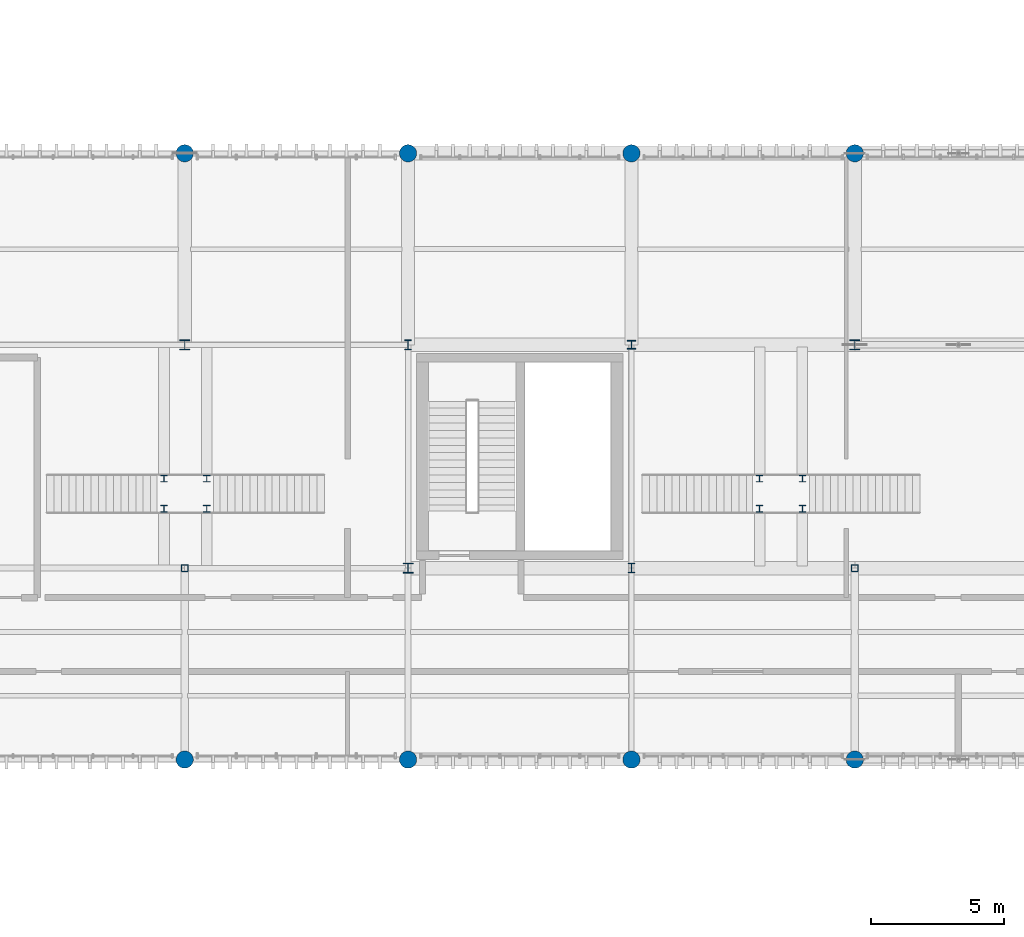
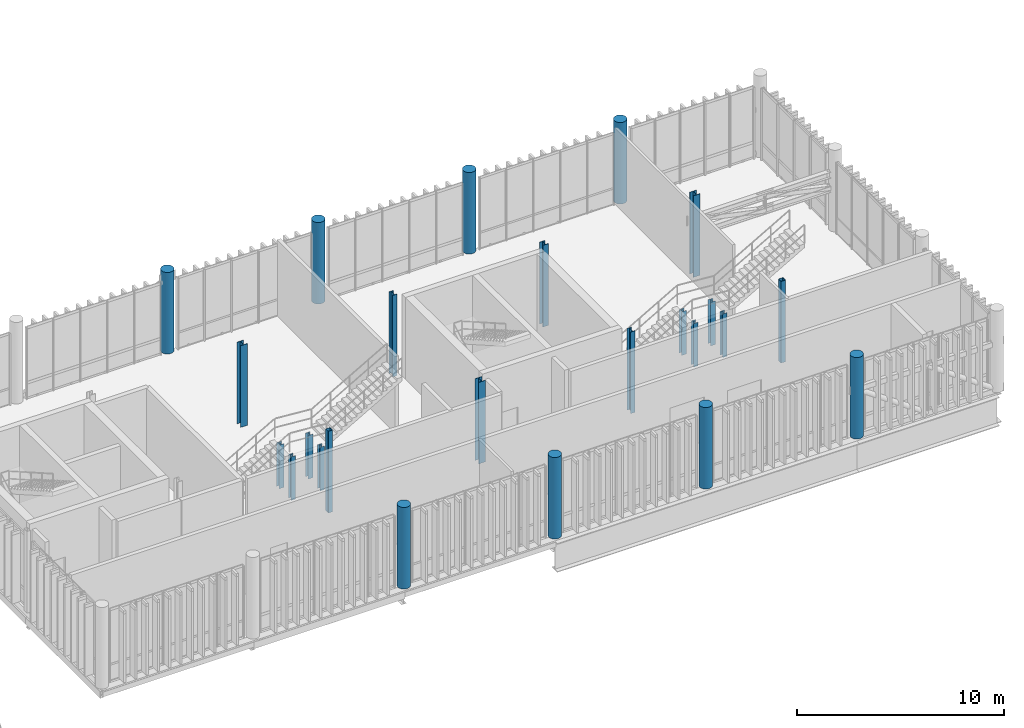
# One storey, part 3 of 86: 24 columns.
"""IFC4 building model written with IfcOpenShell, lengths in metres."""

from ifc_helpers import new_model, si_unit, direction, frame, origin_with_axes, origin_2d_with_axis, place, context, subcontext, project, spatial, hollow_rectangle, circle, i_section, extrude, material, material_profile, profile_set, type_object, element, save


model = new_model("IFC4")

# Units and contexts
model_context = context("Model", 3, precision=1e-05, world=origin_with_axes(), true_north=direction((0.0, 1.0)))
body_context = subcontext(model_context, "Body", "Model", "MODEL_VIEW")
ifc_project = project(units=[si_unit("LENGTHUNIT", "METRE"), si_unit("AREAUNIT", "SQUARE_METRE"), si_unit("VOLUMEUNIT", "CUBIC_METRE"), si_unit("PLANEANGLEUNIT", "RADIAN"), si_unit("MASSUNIT", "GRAM", prefix="KILO"), si_unit("THERMODYNAMICTEMPERATUREUNIT", "KELVIN")], contexts=[model_context])

# Site, building, storey
site_placement = place(None, origin_with_axes())
site = spatial("IfcSite", under=ifc_project, at=site_placement, CompositionType="ELEMENT")
building_placement = place(site_placement, origin_with_axes())
building = spatial("IfcBuilding", under=site, at=building_placement, Name="Montbau Bow Law Courts", CompositionType="ELEMENT")
storey_placement = place(building_placement, frame((0.0, 0.0, 29.7), z_axis=(0.0, 0.0, 1.0), x_axis=(1.0, 0.0, 0.0)))
storey = spatial("IfcBuildingStorey", under=building, at=storey_placement, Name="L06", CompositionType="ELEMENT", Elevation=29.7)

# Columns
ifc_material_1 = material(Name="Steel CSA G40.21 Grade 350W (350 MPa)", Category="steel")
ifc_material_profile_1 = material_profile(ifc_material_1, hollow_rectangle(XDim=0.254, YDim=0.254, WallThickness=0.0127, InnerFilletRadius=0.0254, OuterFilletRadius=0.0127, at=origin_2d_with_axis()), Name="HSS254X254X13", Category="Main", Priority=0)
ifc_profile_set_1 = profile_set([ifc_material_profile_1], Name="Steel CSA G40.21 Grade 350W (350 MPa)")
column_type_1 = type_object("IfcColumnType", Name="C-HSS-01", PredefinedType="COLUMN", material=ifc_profile_set_1)
for number, where, z_axis, x_axis, name in (
    (1, (72.0, 46.2, 29.7), (0.0, 0.0, 1.0), (1.0, 0.0, 0.0), "C-L06-S0953:col2_0953"),
    (2, (97.2, 46.2, 29.7), (0.0, 0.0, 1.0), (1.0, 0.0, 0.0), "C-L06-S0965:col2_0965"),
):
    element("IfcColumn", number, at=place(None, frame(where, z_axis=z_axis, x_axis=x_axis)), inside=storey, type_object=column_type_1, Name=name, PredefinedType="COLUMN", context=body_context, shape_type="SweptSolid", body=[
        extrude(hollow_rectangle(XDim=0.254, YDim=0.254, WallThickness=0.0127, InnerFilletRadius=0.0254, OuterFilletRadius=0.0127, at=origin_2d_with_axis()), origin_with_axes(), (0.0, 0.0, 1.0), 4.8),
    ])
ifc_material_2 = material(Name="Concrete CSA A23.1 f'c 40 MPa", Category="concrete")
ifc_material_profile_2 = material_profile(ifc_material_2, circle(Radius=0.325, at=origin_2d_with_axis()), Name="RC650D", Category="Main", Priority=0)
ifc_profile_set_2 = profile_set([ifc_material_profile_2], Name="Concrete CSA A23.1 f'c 40 MPa")
column_type_2 = type_object("IfcColumnType", Name="C-RC-08", PredefinedType="COLUMN", material=ifc_profile_set_2)
for number, where, z_axis, x_axis, name in (
    (3, (72.0, 39.0, 29.7), (0.0, 0.0, 1.0), (1.0, 0.0, 0.0), "C-L06-S0952:col2_0952"),
    (4, (72.0, 61.8, 29.7), (0.0, 0.0, 1.0), (1.0, 0.0, 0.0), "C-L06-S0955:col2_0955"),
    (5, (80.4, 39.0, 29.7), (0.0, 0.0, 1.0), (1.0, 0.0, 0.0), "C-L06-S0956:col2_0956"),
    (6, (80.4, 61.8, 29.7), (0.0, 0.0, 1.0), (1.0, 0.0, 0.0), "C-L06-S0959:col2_0959"),
    (7, (88.8, 39.0, 29.7), (0.0, 0.0, 1.0), (1.0, 0.0, 0.0), "C-L06-S0960:col2_0960"),
    (8, (88.8, 61.8, 29.7), (0.0, 0.0, 1.0), (1.0, 0.0, 0.0), "C-L06-S0963:col2_0963"),
    (9, (97.2, 39.0, 29.7), (0.0, 0.0, 1.0), (1.0, 0.0, 0.0), "C-L06-S0964:col2_0964"),
    (10, (97.2, 61.8, 29.7), (0.0, 0.0, 1.0), (1.0, 0.0, 0.0), "C-L06-S0967:col2_0967"),
):
    element("IfcColumn", number, at=place(None, frame(where, z_axis=z_axis, x_axis=x_axis)), inside=storey, type_object=column_type_2, Name=name, PredefinedType="COLUMN", context=body_context, shape_type="SweptSolid", body=[
        extrude(circle(Radius=0.325, at=origin_2d_with_axis()), origin_with_axes(), (0.0, 0.0, 1.0), 4.8),
    ])
ifc_material_profile_3 = material_profile(ifc_material_1, i_section(OverallWidth=0.373, OverallDepth=0.368, WebThickness=0.015, FlangeThickness=0.0239, at=origin_2d_with_axis()), Name="W360X179", Category="Main", Priority=0)
ifc_profile_set_3 = profile_set([ifc_material_profile_3], Name="Steel CSA G40.21 Grade 350W (350 MPa)")
column_type_3 = type_object("IfcColumnType", Name="C-STL-04", PredefinedType="COLUMN", material=ifc_profile_set_3)
for number, where, z_axis, x_axis, name in (
    (11, (72.0, 54.6, 29.7), (0.0, 0.0, 1.0), (1.0, 0.0, 0.0), "C-L06-S0954:col2_0954"),
    (12, (80.4, 46.2, 29.7), (0.0, 0.0, 1.0), (1.0, 0.0, 0.0), "C-L06-S0957:col2_0957"),
    (13, (97.2, 54.6, 29.7), (0.0, 0.0, 1.0), (1.0, 0.0, 0.0), "C-L06-S0966:col2_0966"),
):
    element("IfcColumn", number, at=place(None, frame(where, z_axis=z_axis, x_axis=x_axis)), inside=storey, type_object=column_type_3, Name=name, PredefinedType="COLUMN", context=body_context, shape_type="SweptSolid", body=[
        extrude(i_section(OverallWidth=0.373, OverallDepth=0.368, WebThickness=0.015, FlangeThickness=0.0239, at=origin_2d_with_axis()), origin_with_axes(), (0.0, 0.0, 1.0), 4.8),
    ])
ifc_material_profile_4 = material_profile(ifc_material_1, i_section(OverallWidth=0.257, OverallDepth=0.363, WebThickness=0.013, FlangeThickness=0.0217, at=origin_2d_with_axis()), Name="W360X122", Category="Main", Priority=0)
ifc_profile_set_4 = profile_set([ifc_material_profile_4], Name="Steel CSA G40.21 Grade 350W (350 MPa)")
column_type_4 = type_object("IfcColumnType", Name="C-STL-05", PredefinedType="COLUMN", material=ifc_profile_set_4)
for number, where, z_axis, x_axis, name in (
    (14, (80.4, 54.6, 29.7), (0.0, 0.0, 1.0), (1.0, 0.0, 0.0), "C-L06-S0958:col2_0958"),
    (15, (88.8, 46.2, 29.7), (0.0, 0.0, 1.0), (1.0, 0.0, 0.0), "C-L06-S0961:col2_0961"),
):
    element("IfcColumn", number, at=place(None, frame(where, z_axis=z_axis, x_axis=x_axis)), inside=storey, type_object=column_type_4, Name=name, PredefinedType="COLUMN", context=body_context, shape_type="SweptSolid", body=[
        extrude(i_section(OverallWidth=0.257, OverallDepth=0.363, WebThickness=0.013, FlangeThickness=0.0217, at=origin_2d_with_axis()), origin_with_axes(), (0.0, 0.0, 1.0), 4.8),
    ])
ifc_material_profile_5 = material_profile(ifc_material_1, i_section(OverallWidth=0.309, OverallDepth=0.323, WebThickness=0.014, FlangeThickness=0.0229, at=origin_2d_with_axis()), Name="W310X143", Category="Main", Priority=0)
ifc_profile_set_5 = profile_set([ifc_material_profile_5], Name="Steel CSA G40.21 Grade 350W (350 MPa)")
column_type_5 = type_object("IfcColumnType", Name="C-STL-06", PredefinedType="COLUMN", material=ifc_profile_set_5)
column_placement = place(None, frame((88.8, 54.6, 29.7), z_axis=(0.0, 0.0, 1.0), x_axis=(1.0, 0.0, 0.0)))
element("IfcColumn", 16, at=column_placement, inside=storey, type_object=column_type_5, Name="C-L06-S0962:col2_0962", PredefinedType="COLUMN", context=body_context, shape_type="SweptSolid", body=[
    extrude(i_section(OverallWidth=0.309, OverallDepth=0.323, WebThickness=0.014, FlangeThickness=0.0229, at=origin_2d_with_axis()), origin_with_axes(), (0.0, 0.0, 1.0), 4.8),
])
ifc_material_profile_6 = material_profile(ifc_material_1, i_section(OverallWidth=0.256, OverallDepth=0.26, WebThickness=0.0107, FlangeThickness=0.0173, at=origin_2d_with_axis()), Name="W250X89", Category="Main", Priority=0)
ifc_profile_set_6 = profile_set([ifc_material_profile_6], Name="Steel CSA G40.21 Grade 350W (350 MPa)")
column_type_6 = type_object("IfcColumnType", Name="C-STL-08", PredefinedType="COLUMN", material=ifc_profile_set_6)
for number, where, z_axis, x_axis, name in (
    (17, (71.22, 48.43, 29.36), (0.0, 0.0, 1.0), (1.0, 0.0, 0.0), "C-ST-L06-37:col2_1156"),
    (18, (71.22, 49.57, 29.36), (0.0, 0.0, 1.0), (1.0, 0.0, 0.0), "C-ST-L06-38:col2_1157"),
    (19, (72.83, 48.43, 29.36), (0.0, 0.0, 1.0), (1.0, 0.0, 0.0), "C-ST-L06-39:col2_1158"),
    (20, (72.83, 49.57, 29.36), (0.0, 0.0, 1.0), (1.0, 0.0, 0.0), "C-ST-L06-40:col2_1159"),
    (21, (93.62, 48.43, 29.36), (0.0, 0.0, 1.0), (1.0, 0.0, 0.0), "C-ST-L06-41:col2_1160"),
    (22, (93.62, 49.57, 29.36), (0.0, 0.0, 1.0), (1.0, 0.0, 0.0), "C-ST-L06-42:col2_1161"),
    (23, (95.23, 48.43, 29.36), (0.0, 0.0, 1.0), (1.0, 0.0, 0.0), "C-ST-L06-43:col2_1162"),
    (24, (95.23, 49.57, 29.36), (0.0, 0.0, 1.0), (1.0, 0.0, 0.0), "C-ST-L06-44:col2_1163"),
):
    element("IfcColumn", number, at=place(None, frame(where, z_axis=z_axis, x_axis=x_axis)), inside=storey, type_object=column_type_6, Name=name, PredefinedType="COLUMN", context=body_context, shape_type="SweptSolid", body=[
        extrude(i_section(OverallWidth=0.256, OverallDepth=0.26, WebThickness=0.0107, FlangeThickness=0.0173, at=origin_2d_with_axis()), origin_with_axes(), (0.0, 0.0, 1.0), 2.56),
    ])

save(model, "model.ifc")
